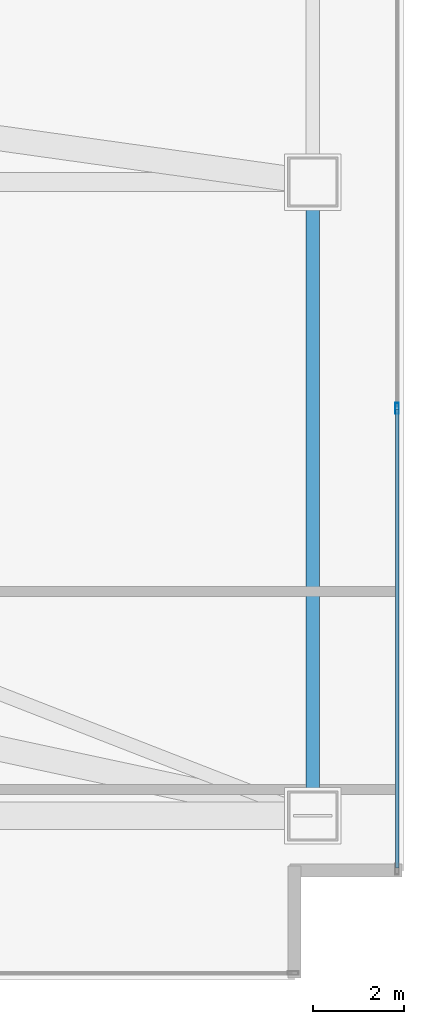
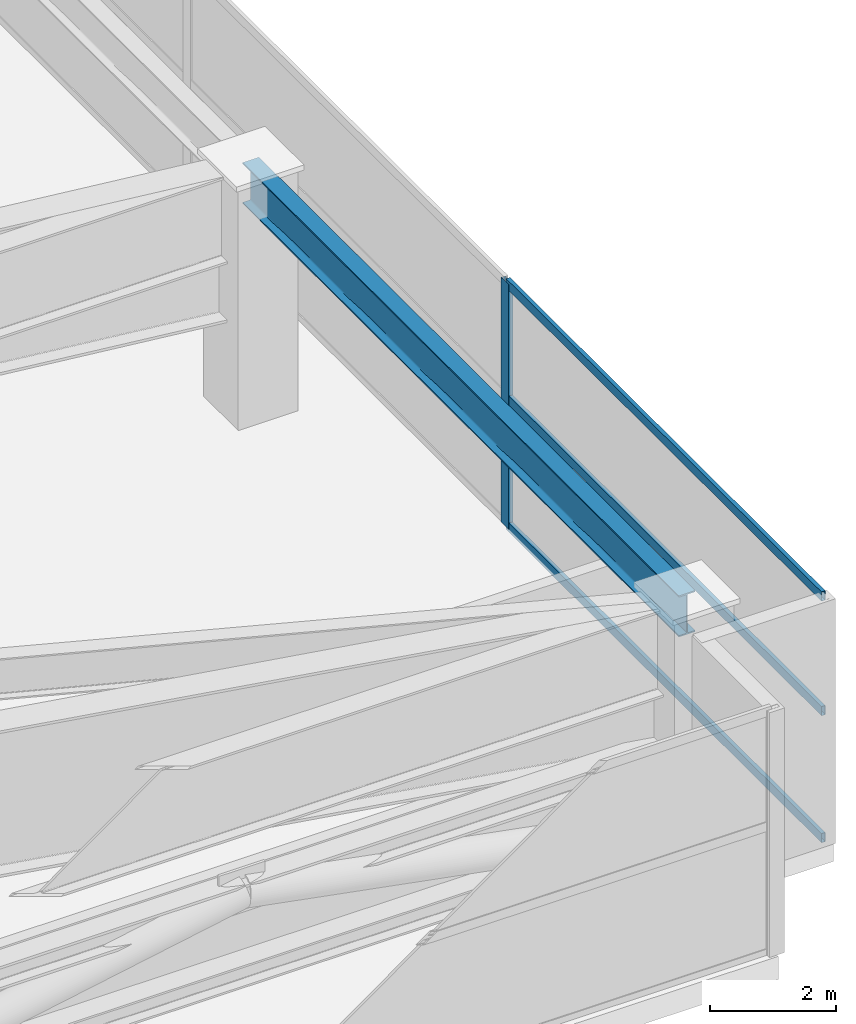
# One storey, part 22 of 36: 4 members, 1 beam, 1 element without a shape of its own.
"""IFC4 building model written with IfcOpenShell, lengths in metres."""

from ifc_helpers import new_model, si_unit, direction, frame, origin, origin_2d, place, context, subcontext, project, spatial, hollow_rectangle, i_section, extrude, material, layer, layer_set, material_profile, profile_set, type_object, element, aggregate, save


model = new_model("IFC4")

# Units and contexts
model_context = context("Model", 3, precision=1e-05, world=origin(), true_north=direction((0.0, 1.0)))
body_context = subcontext(model_context, "Body", "Model", "MODEL_VIEW")
ifc_project = project(units=[si_unit("LENGTHUNIT", "METRE"), si_unit("AREAUNIT", "SQUARE_METRE"), si_unit("VOLUMEUNIT", "CUBIC_METRE"), si_unit("PLANEANGLEUNIT", "RADIAN"), si_unit("MASSUNIT", "GRAM", prefix="KILO")], contexts=[model_context])

# Site, building, storey
site_placement = place(None, origin())
site = spatial("IfcSite", under=ifc_project, at=site_placement, CompositionType="ELEMENT")
building_placement = place(site_placement, origin())
building = spatial("IfcBuilding", under=site, at=building_placement, Name="Calvorn Quay Hotel", CompositionType="ELEMENT")
storey_placement = place(building_placement, frame((0.0, 0.0, 22.0)))
storey = spatial("IfcBuildingStorey", under=building, at=storey_placement, Name="L04", CompositionType="ELEMENT", Elevation=22.0)

# Beam
ifc_material_1 = material(Name="Steel Q390GJC", Category="steel")
ifc_material_profile_1 = material_profile(ifc_material_1, i_section(OverallWidth=0.300048828125, OverallDepth=0.800048828125, WebThickness=0.013916015625, FlangeThickness=0.02587890625, FilletRadius=0.02392578125, at=origin_2d()), Name="HN800x300x14x26")
ifc_profile_set_1 = profile_set([ifc_material_profile_1], Name="Steel Q390GJC")
beam_type = type_object("IfcBeamType", Name="BM-GIRD-POD", PredefinedType="BEAM", material=ifc_profile_set_1)
beam_placement = place(storey_placement, frame((74.0, 3.60009765625, 4.340087890625), z_axis=(0.0, 1.0, 0.0), x_axis=(-1.0, 0.0, 0.0)))
element("IfcBeam", 1, at=beam_placement, inside=storey, type_object=beam_type, Name="Beam BG-L04-PE1", PredefinedType="BEAM", context=body_context, shape_type="SweptSolid", body=[
    extrude(i_section(OverallWidth=0.300048828125, OverallDepth=0.800048828125, WebThickness=0.013916015625, FlangeThickness=0.02587890625, FilletRadius=0.02392578125, at=origin_2d()), origin(), (0.0, 0.0, 1.0), 13.89990234375),
])

# Curtain wall, members
ifc_material_2 = material(Name="Pale Anodised Aluminium and Low-E Glass", Category="aluminium")
ifc_layer = layer(ifc_material_2, 0.219970703125)
ifc_layer_set = layer_set([ifc_layer], Name="CW-SYS-POD")
curtain_wall_type = type_object("IfcCurtainWallType", Name="CW-SYS-POD", PredefinedType="NOTDEFINED", material=ifc_layer_set)
curtain_wall_placement = place(storey_placement, origin())
curtain_wall = element("IfcCurtainWall", 2, at=curtain_wall_placement, inside=storey, type_object=curtain_wall_type, Name="Podium Curtain Wall L04-E1", PredefinedType="NOTDEFINED")
ifc_material_3 = material(Name="Pale Anodised Aluminium 6063-T6", Category="aluminium")
ifc_material_profile_2 = material_profile(ifc_material_3, hollow_rectangle(XDim=0.080078125, YDim=0.239990234375, WallThickness=0.0048828125, at=origin_2d()), Name="ALU-M240x80x5")
ifc_profile_set_2 = profile_set([ifc_material_profile_2], Name="Pale Anodised Aluminium 6063-T6")
member_type_1 = type_object("IfcMemberType", Name="CW-SYS-POD-MUL", PredefinedType="MULLION", material=ifc_profile_set_2)
member_1_placement = place(storey_placement, frame((75.85009765625, 12.5400390625, 0.0), z_axis=(0.0, 0.0, 1.0), x_axis=(-1.0, 0.0, 0.0)))
member_1 = element("IfcMember", 3, at=member_1_placement, type_object=member_type_1, Name="CW-L04-E1 mullion 2", PredefinedType="MULLION", context=body_context, shape_type="SweptSolid", body=[
    extrude(hollow_rectangle(XDim=0.080078125, YDim=0.239990234375, WallThickness=0.0048828125, at=origin_2d()), origin(), (0.0, 0.0, 1.0), 4.760009765625),
])
ifc_material_4 = material(Name="Pale Anodised Aluminium 6063-T6", Category="aluminium")
ifc_material_profile_3 = material_profile(ifc_material_4, hollow_rectangle(XDim=0.070068359375, YDim=0.179931640625, WallThickness=0.00390625, at=origin_2d()), Name="ALU-T180x70x4")
ifc_profile_set_3 = profile_set([ifc_material_profile_3], Name="Pale Anodised Aluminium 6063-T6")
member_type_2 = type_object("IfcMemberType", Name="CW-SYS-POD-TRN", PredefinedType="USERDEFINED", material=ifc_profile_set_3)
member_2_placement = place(storey_placement, frame((75.85009765625, 2.4599609375, 0.030029296875), z_axis=(0.0, 1.0, 0.0), x_axis=(-1.0, 0.0, 0.0)))
member_2 = element("IfcMember", 4, at=member_2_placement, type_object=member_type_2, Name="CW-L04-E1 transom 1.1", ObjectType="TRANSOM", PredefinedType="USERDEFINED", context=body_context, shape_type="SweptSolid", body=[
    extrude(hollow_rectangle(XDim=0.070068359375, YDim=0.179931640625, WallThickness=0.00390625, at=origin_2d()), origin(), (0.0, 0.0, 1.0), 10.050048828125),
])
member_3_placement = place(storey_placement, frame((75.85009765625, 2.4599609375, 2.5), z_axis=(0.0, 1.0, 0.0), x_axis=(-1.0, 0.0, 0.0)))
member_3 = element("IfcMember", 5, at=member_3_placement, type_object=member_type_2, Name="CW-L04-E1 transom 1.2", ObjectType="TRANSOM", PredefinedType="USERDEFINED", context=body_context, shape_type="SweptSolid", body=[
    extrude(hollow_rectangle(XDim=0.070068359375, YDim=0.179931640625, WallThickness=0.00390625, at=origin_2d()), origin(), (0.0, 0.0, 1.0), 10.050048828125),
])
member_4_placement = place(storey_placement, frame((75.85009765625, 2.4599609375, 4.72998046875), z_axis=(0.0, 1.0, 0.0), x_axis=(-1.0, 0.0, 0.0)))
member_4 = element("IfcMember", 6, at=member_4_placement, type_object=member_type_2, Name="CW-L04-E1 transom 1.3", ObjectType="TRANSOM", PredefinedType="USERDEFINED", context=body_context, shape_type="SweptSolid", body=[
    extrude(hollow_rectangle(XDim=0.070068359375, YDim=0.179931640625, WallThickness=0.00390625, at=origin_2d()), origin(), (0.0, 0.0, 1.0), 10.050048828125),
])
aggregate(curtain_wall, [member_1, member_2, member_3, member_4])

save(model, "model.ifc")
